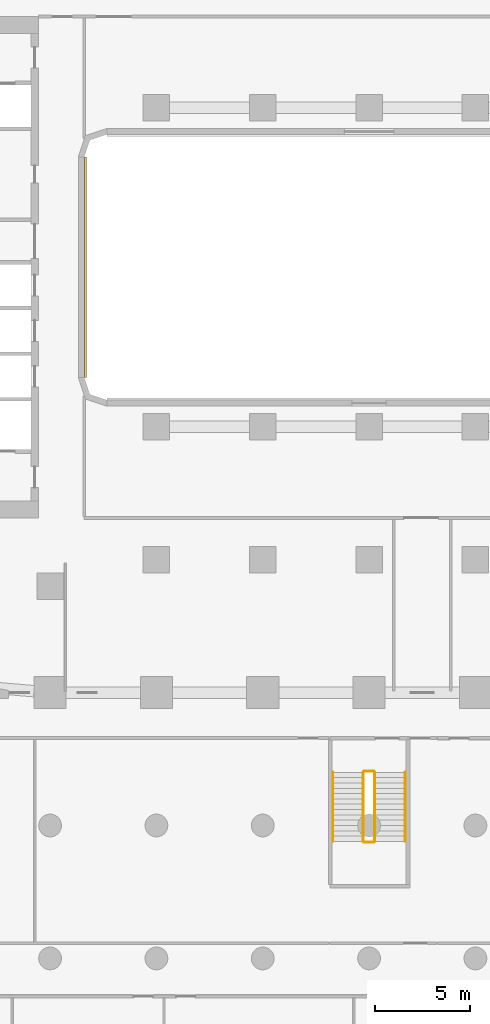
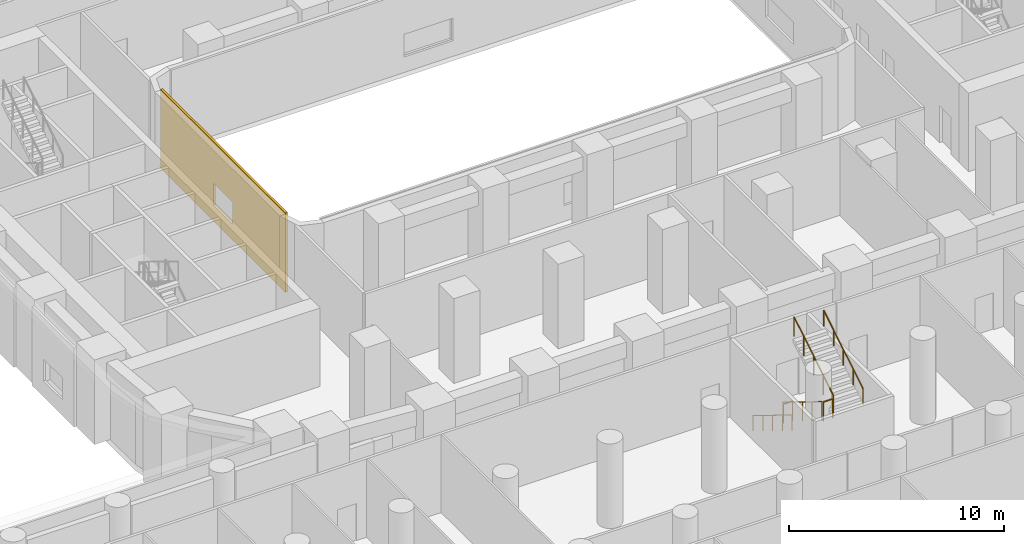
# One storey, part 22 of 27: 6 railings, 1 covering.
"""IFC4 building model written with IfcOpenShell, lengths in metres."""

import ifcopenshell
import ifcopenshell.guid

model = None  # the IFC model being written
_history = None  # IfcOwnerHistory: only IFC2X3 demands one
_inside = {}  # id of a spatial element -> (the spatial element, [elements in it])
_under = {}  # id of a project, library or spatial element -> (it, [spatial elements below it])
_declared = {}  # id of a project -> (the project, [libraries it declares])
_typed = {}  # id of a type object -> (the type object, [elements of that type])
_made_of = {}  # id of a material, layer set ... -> (it, [elements and type objects made of it])


def new_model(schema):
    """Start an empty IFC model of exactly this schema.

    Asked for "IFC4X3", IfcOpenShell would pick the latest addendum, in which some entities
    have other attributes; the version numbers below select the first issue.
    IFC2X3 requires an IfcOwnerHistory on every rooted entity: one is made here for all.
    """
    global model, _history
    if schema == "IFC4X3":
        model = ifcopenshell.file(schema_version=(4, 3, 0, 0))
    else:
        model = ifcopenshell.file(schema=schema)
    _inside.clear()
    _under.clear()
    _declared.clear()
    _typed.clear()
    _made_of.clear()
    _history = None
    if model.schema == "IFC2X3":
        org = make("IfcOrganization", Name="unknown")
        user = make(
            "IfcPersonAndOrganization",
            ThePerson=make("IfcPerson", FamilyName="unknown"),
            TheOrganization=org,
        )
        app = make(
            "IfcApplication",
            ApplicationDeveloper=org,
            Version="unknown",
            ApplicationFullName="unknown",
            ApplicationIdentifier="unknown",
        )
        _history = make(
            "IfcOwnerHistory",
            OwningUser=user,
            OwningApplication=app,
            ChangeAction="ADDED",
            CreationDate=0,
        )
    return model


def make(cls, **values):
    """One entity of the class cls with the attributes given. An attribute that is None is left unset."""
    return model.create_entity(
        cls, **{name: value for name, value in values.items() if value is not None}
    )


def rooted(cls, **values):
    """An entity with a GlobalId (a new one), such as an element, a storey or a relation."""
    return make(cls, GlobalId=ifcopenshell.guid.new(), OwnerHistory=_history, **values)


def si_unit(unit_type, name, prefix=None):
    """IfcSIUnit, for example si_unit("LENGTHUNIT", "METRE", prefix="MILLI")."""
    return make("IfcSIUnit", UnitType=unit_type, Prefix=prefix, Name=name)


def assignment(units):
    """IfcUnitAssignment: the units of a project."""
    return None if units is None else make("IfcUnitAssignment", Units=units)


def point(xyz):
    """IfcCartesianPoint."""
    return None if xyz is None else make("IfcCartesianPoint", Coordinates=xyz)


def direction(xyz):
    """IfcDirection."""
    return None if xyz is None else make("IfcDirection", DirectionRatios=xyz)


def frame(location, z_axis=None, x_axis=None):
    """IfcAxis2Placement3D, a coordinate frame: its origin and axes. An axis left out is left unset."""
    return make(
        "IfcAxis2Placement3D",
        Location=point(location),
        Axis=direction(z_axis),
        RefDirection=direction(x_axis),
    )


def frame_2d(location, x_axis=None):
    """IfcAxis2Placement2D, a coordinate frame in the plane: its origin and x axis."""
    return make(
        "IfcAxis2Placement2D", Location=point(location), RefDirection=direction(x_axis)
    )


def origin():
    """The frame at (0, 0, 0) with its axes left unset."""
    return frame((0.0, 0.0, 0.0))


def origin_2d():
    """The frame at (0, 0) in the plane with its x axis left unset."""
    return frame_2d((0.0, 0.0))


def place(relative_to, where):
    """IfcLocalPlacement: puts the frame where relative to a parent placement (None: the world)."""
    return make(
        "IfcLocalPlacement", PlacementRelTo=relative_to, RelativePlacement=where
    )


def context(
    kind, dimensions, precision=None, world=None, true_north=None, identifier=None
):
    """IfcGeometricRepresentationContext, for example the 3D "Model" context."""
    return make(
        "IfcGeometricRepresentationContext",
        ContextIdentifier=identifier,
        ContextType=kind,
        CoordinateSpaceDimension=dimensions,
        Precision=precision,
        WorldCoordinateSystem=world,
        TrueNorth=true_north,
    )


def subcontext(parent, identifier, kind, view, scale=None):
    """IfcGeometricRepresentationSubContext, for example "Body" below "Model"."""
    return make(
        "IfcGeometricRepresentationSubContext",
        ContextIdentifier=identifier,
        ContextType=kind,
        ParentContext=parent,
        TargetScale=scale,
        TargetView=view,
    )


def project(units=None, contexts=None):
    """IfcProject with its units and contexts."""
    return rooted(
        "IfcProject",
        Name="project",
        RepresentationContexts=contexts,
        UnitsInContext=assignment(units),
    )


def spatial(cls, under=None, at=None, **own):
    """A site, building, storey or space (cls), placed at a placement, below another one or the project."""
    s = rooted(cls, ObjectPlacement=at, **own)
    if under is not None:
        _under.setdefault(under.id(), (under, []))[1].append(s)
    return s


def polyline(points):
    """IfcPolyline through the points."""
    return make("IfcPolyline", Points=[point(p) for p in points])


def profile(cls, at=None, kind="AREA", **sizes):
    """A parametric profile (cls). Its sizes go by their IFC names, for example OverallWidth=200.0."""
    return make(cls, ProfileType=kind, Position=at, **sizes)


def circle(**sizes):
    """IfcCircleProfileDef."""
    return profile("IfcCircleProfileDef", **sizes)


def outline(outer, holes=None, kind="AREA"):
    """IfcArbitraryClosedProfileDef: a profile drawn as a closed curve; with holes, ...WithVoids."""
    if holes is None:
        return make("IfcArbitraryClosedProfileDef", ProfileType=kind, OuterCurve=outer)
    return make(
        "IfcArbitraryProfileDefWithVoids",
        ProfileType=kind,
        OuterCurve=outer,
        InnerCurves=holes,
    )


def extrude(swept, where, along, depth):
    """IfcExtrudedAreaSolid: the profile swept, set in the frame where, extruded along a direction by depth."""
    return make(
        "IfcExtrudedAreaSolid",
        SweptArea=swept,
        Position=where,
        ExtrudedDirection=direction(along),
        Depth=depth,
    )


def shape(context_of_items, identifier, shape_type, items):
    """IfcShapeRepresentation: the items that make up one representation, for example the "Body"."""
    return make(
        "IfcShapeRepresentation",
        ContextOfItems=context_of_items,
        RepresentationIdentifier=identifier,
        RepresentationType=shape_type,
        Items=items,
    )


def material(Name=None, Category=None):
    """IfcMaterial."""
    return make("IfcMaterial", Name=Name, Category=Category)


def layer(
    of_material, thickness, ventilated=None, Name=None, Category=None, Priority=None
):
    """IfcMaterialLayer: one layer of a wall or slab, of a material (None: an air gap)."""
    return make(
        "IfcMaterialLayer",
        Material=of_material,
        LayerThickness=thickness,
        IsVentilated=ventilated,
        Name=Name,
        Category=Category,
        Priority=Priority,
    )


def layer_set(layers, Name=None):
    """IfcMaterialLayerSet."""
    return make("IfcMaterialLayerSet", MaterialLayers=layers, LayerSetName=Name)


def made_of(thing, what):
    """Note that an element or type object is made of a material, layer set ...; save() writes the relation."""
    if what is not None:
        _made_of.setdefault(what.id(), (what, []))[1].append(thing)
    return thing


def type_object(cls, material=None, **own):
    """A type object (cls), such as IfcWallType, which elements share."""
    return made_of(rooted(cls, **own), material)


def element(
    cls,
    number,
    at=None,
    inside=None,
    cuts=None,
    type_object=None,
    material=None,
    context=None,
    identifier="Body",
    shape_type=None,
    held_by="IfcProductDefinitionShape",
    body=None,
    shapes=None,
    **own,
):
    """One element of the class cls, such as IfcWall. Its Tag is "e" and its number.

    at: its placement. inside: the storey or other place that contains it. cuts: it is an
    opening in that element (IfcRelVoidsElement). A single representation is given by context,
    identifier, shape_type and body (its items); several are given by shapes. held_by: the class
    of the entity that holds the representations. save() writes the other relations.
    """
    e = rooted(cls, Tag="e%d" % number, ObjectPlacement=at, **own)
    if body is not None:
        shapes = [shape(context, identifier, shape_type, body)]
    if shapes is not None:
        e.Representation = make(held_by, Representations=shapes)
    if inside is not None:
        _inside.setdefault(inside.id(), (inside, []))[1].append(e)
    if cuts is not None:
        rooted(
            "IfcRelVoidsElement", RelatingBuildingElement=cuts, RelatedOpeningElement=e
        )
    if type_object is not None:
        _typed.setdefault(type_object.id(), (type_object, []))[1].append(e)
    return made_of(e, material)


def aggregate(whole, parts):
    """IfcRelAggregates: a whole, such as a stair, and the parts it consists of."""
    return rooted("IfcRelAggregates", RelatingObject=whole, RelatedObjects=parts)


def save(model, path):
    """Write the relations noted so far, then the file.

    IfcRelAggregates (storeys below a building ...), IfcRelContainedInSpatialStructure (elements
    in a storey), IfcRelDefinesByType, IfcRelAssociatesMaterial and IfcRelDeclares: one each for
    every whole, place, type object, material and project.
    """
    for whole, parts in _under.values():
        aggregate(whole, parts)
    for where, things in _inside.values():
        rooted(
            "IfcRelContainedInSpatialStructure",
            RelatedElements=things,
            RelatingStructure=where,
        )
    for kind, things in _typed.values():
        rooted("IfcRelDefinesByType", RelatedObjects=things, RelatingType=kind)
    for what, things in _made_of.values():
        rooted("IfcRelAssociatesMaterial", RelatedObjects=things, RelatingMaterial=what)
    for by, libraries in _declared.values():
        rooted("IfcRelDeclares", RelatingContext=by, RelatedDefinitions=libraries)
    model.write(path)


model = new_model("IFC4")

# Units and contexts
model_context = context("Model", 3, precision=1e-05, world=origin(), true_north=direction((0.0, 1.0)))
body_context = subcontext(model_context, "Body", "Model", "MODEL_VIEW")
ifc_project = project(units=[si_unit("LENGTHUNIT", "METRE"), si_unit("AREAUNIT", "SQUARE_METRE"), si_unit("VOLUMEUNIT", "CUBIC_METRE"), si_unit("PLANEANGLEUNIT", "RADIAN"), si_unit("MASSUNIT", "GRAM", prefix="KILO")], contexts=[model_context])

# Site, building, storey
site_placement = place(None, origin())
site = spatial("IfcSite", under=ifc_project, at=site_placement, CompositionType="ELEMENT")
building_placement = place(site_placement, origin())
building = spatial("IfcBuilding", under=site, at=building_placement, Name="Kiln Ring Residences", CompositionType="ELEMENT")
storey_placement = place(building_placement, frame((0.0, 0.0, 6.5)))
storey = spatial("IfcBuildingStorey", under=building, at=storey_placement, Name="L01", CompositionType="ELEMENT", Elevation=6.5)

# Railings
ifc_material_1 = material(Name="Stainless steel", Category="steel")
railing_type_1 = type_object("IfcRailingType", Name="PODIUM-STAIR-GUARD", PredefinedType="GUARDRAIL", material=ifc_material_1)
railing_1_placement = place(storey_placement, frame((-0.300048828125, -26.60009765625, 0.17138671875)))
element("IfcRailing", 1, at=railing_1_placement, inside=storey, type_object=railing_type_1, Name="L01 PS-C stair guard 1", PredefinedType="GUARDRAIL", context=body_context, shape_type="SweptSolid", body=[
    extrude(circle(Radius=0.02392578125, at=origin_2d()), frame((0.0, 0.0, 1.076171875), z_axis=(0.0, -0.852850264322, 0.5221555579), x_axis=(1.0, 0.0, 0.0)), (0.0, 0.0, 1.0), 4.267822265625),
    extrude(circle(Radius=0.02099609375, at=origin_2d()), origin(), (0.0, 0.0, 1.0), 1.052001953125),
    extrude(circle(Radius=0.02099609375, at=origin_2d()), frame((0.0, -0.909912109375, 0.55712890625)), (0.0, 0.0, 1.0), 1.052001953125),
    extrude(circle(Radius=0.02099609375, at=origin_2d()), frame((0.0, -1.81982421875, 1.1142578125)), (0.0, 0.0, 1.0), 1.052001953125),
    extrude(circle(Radius=0.02099609375, at=origin_2d()), frame((0.0, -2.72998046875, 1.67138671875)), (0.0, 0.0, 1.0), 1.052001953125),
    extrude(circle(Radius=0.02099609375, at=origin_2d()), frame((0.0, -3.639892578125, 2.228515625)), (0.0, 0.0, 1.0), 1.052001953125),
])
railing_2_placement = place(storey_placement, frame((-0.25, -30.2900390625, 2.39990234375)))
element("IfcRailing", 2, at=railing_2_placement, inside=storey, type_object=railing_type_1, Name="L01 PS-C stair guard 2", PredefinedType="GUARDRAIL", context=body_context, shape_type="SweptSolid", body=[
    extrude(circle(Radius=0.02392578125, at=origin_2d()), frame((0.0, 0.0, 1.076171875), z_axis=(1.0, 0.0, 0.0), x_axis=(0.0, 1.0, 0.0)), (0.0, 0.0, 1.0), 0.5),
    extrude(circle(Radius=0.02099609375, at=origin_2d()), origin(), (0.0, 0.0, 1.0), 1.052001953125),
    extrude(circle(Radius=0.02099609375, at=origin_2d()), frame((0.5, 0.0, 0.0)), (0.0, 0.0, 1.0), 1.052001953125),
])
railing_3_placement = place(storey_placement, frame((0.300048828125, -30.239990234375, 2.571533203125)))
element("IfcRailing", 3, at=railing_3_placement, inside=storey, type_object=railing_type_1, Name="L01 PS-C stair guard 3", PredefinedType="GUARDRAIL", context=body_context, shape_type="SweptSolid", body=[
    extrude(circle(Radius=0.02392578125, at=origin_2d()), frame((0.0, 0.0, 1.076171875), z_axis=(0.0, 0.852850264322, 0.5221555579), x_axis=(-1.0, 0.0, 0.0)), (0.0, 0.0, 1.0), 4.267822265625),
    extrude(circle(Radius=0.02099609375, at=origin_2d()), origin(), (0.0, 0.0, 1.0), 1.052001953125),
    extrude(circle(Radius=0.02099609375, at=origin_2d()), frame((0.0, 0.909912109375, 0.55712890625)), (0.0, 0.0, 1.0), 1.052001953125),
    extrude(circle(Radius=0.02099609375, at=origin_2d()), frame((0.0, 1.81982421875, 1.1142578125)), (0.0, 0.0, 1.0), 1.052001953125),
    extrude(circle(Radius=0.02099609375, at=origin_2d()), frame((0.0, 2.72998046875, 1.67138671875)), (0.0, 0.0, 1.0), 1.052001953125),
    extrude(circle(Radius=0.02099609375, at=origin_2d()), frame((0.0, 3.639892578125, 2.228515625)), (0.0, 0.0, 1.0), 1.052001953125),
])
railing_4_placement = place(storey_placement, frame((-0.25, -26.550048828125, 0.0)))
element("IfcRailing", 4, at=railing_4_placement, inside=storey, type_object=railing_type_1, Name="L01 PS-C stair guard 4", PredefinedType="GUARDRAIL", context=body_context, shape_type="SweptSolid", body=[
    extrude(circle(Radius=0.02392578125, at=origin_2d()), frame((0.0, 0.0, 1.076171875), z_axis=(1.0, 0.0, 0.0), x_axis=(0.0, 1.0, 0.0)), (0.0, 0.0, 1.0), 0.5),
    extrude(circle(Radius=0.02099609375, at=origin_2d()), origin(), (0.0, 0.0, 1.0), 1.052001953125),
    extrude(circle(Radius=0.02099609375, at=origin_2d()), frame((0.5, 0.0, 0.0)), (0.0, 0.0, 1.0), 1.052001953125),
])
ifc_material_2 = material(Name="Stainless steel", Category="steel")
railing_type_2 = type_object("IfcRailingType", Name="PODIUM-STAIR-HANDRAIL", PredefinedType="HANDRAIL", material=ifc_material_2)
railing_5_placement = place(storey_placement, frame((-1.89990234375, -26.60009765625, 0.17138671875)))
element("IfcRailing", 5, at=railing_5_placement, inside=storey, type_object=railing_type_2, Name="L01 PS-C stair handrail 1", PredefinedType="HANDRAIL", context=body_context, shape_type="SweptSolid", body=[
    extrude(circle(Radius=0.02392578125, at=origin_2d()), frame((0.0, 0.0, 0.8759765625), z_axis=(0.0, -0.852850264322, 0.5221555579), x_axis=(1.0, 0.0, 0.0)), (0.0, 0.0, 1.0), 4.267822265625),
    extrude(circle(Radius=0.02099609375, at=origin_2d()), origin(), (0.0, 0.0, 1.0), 0.851806640625),
    extrude(circle(Radius=0.02099609375, at=origin_2d()), frame((0.0, -0.909912109375, 0.55712890625)), (0.0, 0.0, 1.0), 0.851806640625),
    extrude(circle(Radius=0.02099609375, at=origin_2d()), frame((0.0, -1.81982421875, 1.1142578125)), (0.0, 0.0, 1.0), 0.851806640625),
    extrude(circle(Radius=0.02099609375, at=origin_2d()), frame((0.0, -2.72998046875, 1.67138671875)), (0.0, 0.0, 1.0), 0.851806640625),
    extrude(circle(Radius=0.02099609375, at=origin_2d()), frame((0.0, -3.639892578125, 2.228515625)), (0.0, 0.0, 1.0), 0.851806640625),
])
railing_6_placement = place(storey_placement, frame((1.89990234375, -30.239990234375, 2.571533203125)))
element("IfcRailing", 6, at=railing_6_placement, inside=storey, type_object=railing_type_2, Name="L01 PS-C stair handrail 2", PredefinedType="HANDRAIL", context=body_context, shape_type="SweptSolid", body=[
    extrude(circle(Radius=0.02392578125, at=origin_2d()), frame((0.0, 0.0, 0.8759765625), z_axis=(0.0, 0.852850264322, 0.5221555579), x_axis=(-1.0, 0.0, 0.0)), (0.0, 0.0, 1.0), 4.267822265625),
    extrude(circle(Radius=0.02099609375, at=origin_2d()), origin(), (0.0, 0.0, 1.0), 0.851806640625),
    extrude(circle(Radius=0.02099609375, at=origin_2d()), frame((0.0, 0.909912109375, 0.55712890625)), (0.0, 0.0, 1.0), 0.851806640625),
    extrude(circle(Radius=0.02099609375, at=origin_2d()), frame((0.0, 1.81982421875, 1.1142578125)), (0.0, 0.0, 1.0), 0.851806640625),
    extrude(circle(Radius=0.02099609375, at=origin_2d()), frame((0.0, 2.72998046875, 1.67138671875)), (0.0, 0.0, 1.0), 0.851806640625),
    extrude(circle(Radius=0.02099609375, at=origin_2d()), frame((0.0, 3.639892578125, 2.228515625)), (0.0, 0.0, 1.0), 0.851806640625),
])

# Covering
ifc_material_3 = material(Name="Brick masonry, dark clay brick", Category="masonry")
ifc_layer = layer(ifc_material_3, 0.1201171875)
ifc_layer_set = layer_set([ifc_layer], Name="RAINSCREEN PANEL 120")
covering_type = type_object("IfcCoveringType", Name="RAINSCREEN PANEL 120", PredefinedType="CLADDING", material=ifc_layer_set)
covering_placement = place(storey_placement, frame((-14.93994140625, -5.800048828125, 0.0), z_axis=(0.0, 0.0, 1.0), x_axis=(0.0, 1.0, 0.0)))
element("IfcCovering", 7, at=covering_placement, inside=storey, type_object=covering_type, Name="RAINSCREEN L01", PredefinedType="CLADDING", context=body_context, shape_type="SweptSolid", body=[
    extrude(outline(polyline([(0.0, 0.0), (11.60009765625, 0.0), (11.60009765625, 4.5), (0.0, 4.5), (0.0, 0.0)]), holes=[polyline([(4.89990234375, 2.14990234375), (4.89990234375, 0.89990234375), (6.699951171875, 0.89990234375), (6.699951171875, 2.14990234375), (4.89990234375, 2.14990234375)])]), frame((0.0, 0.06005859375, 0.0), z_axis=(0.0, -1.0, 0.0), x_axis=(1.0, 0.0, 0.0)), (0.0, 0.0, 1.0), 0.1201171875),
])

save(model, "model.ifc")
